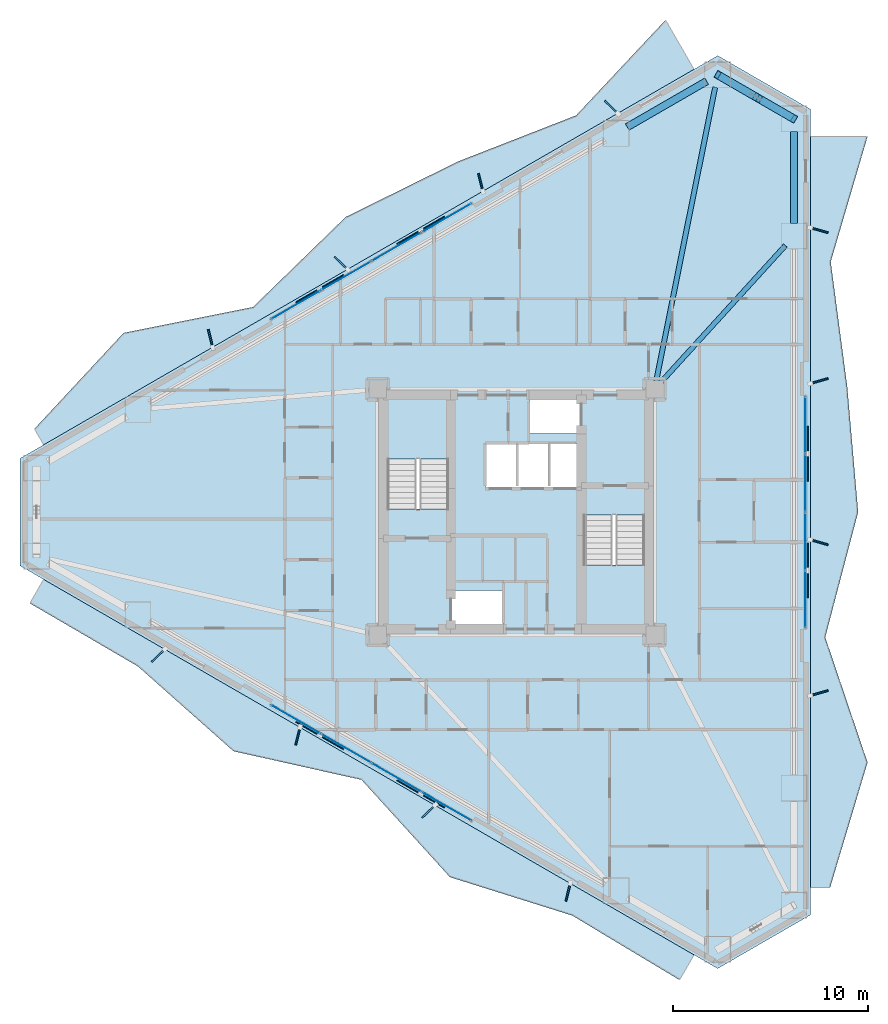
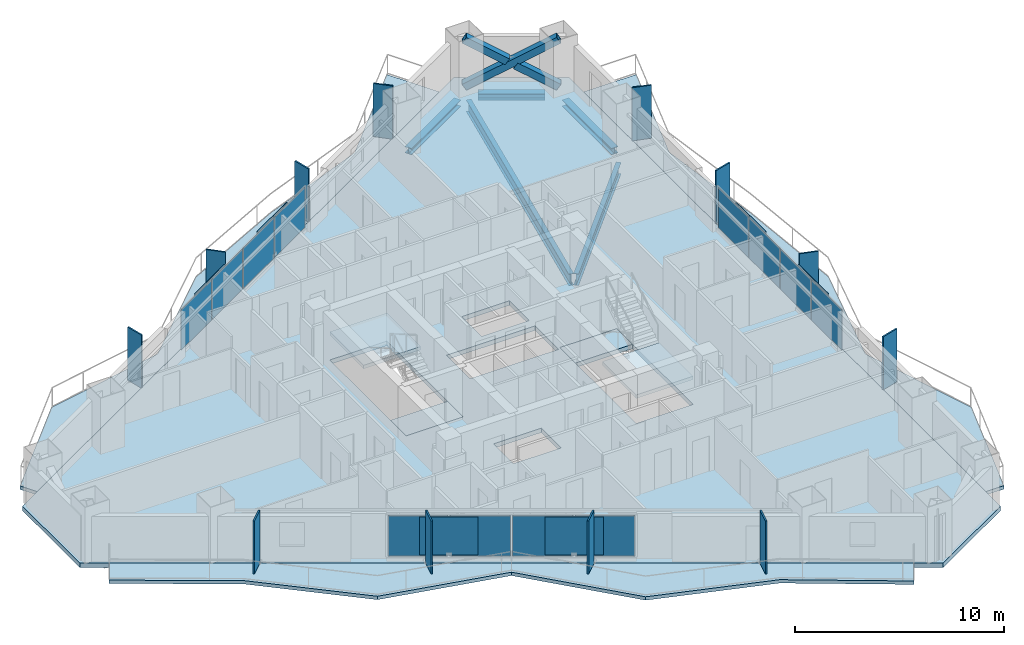
# One storey, part 10 of 18: 30 plates, 8 slabs, 5 beams, 3 members, 5 elements without a shape of their own.
"""IFC4 building model written with IfcOpenShell, lengths in metres."""

from ifc_helpers import new_model, si_unit, direction, frame, origin, origin_2d, place, context, subcontext, project, spatial, polyline, rectangle, hollow_rectangle, i_section, outline, extrude, material, layer, layer_set, material_profile, profile_set, type_object, element, aggregate, save


model = new_model("IFC4")

# Units and contexts
model_context = context("Model", 3, precision=1e-05, world=origin(), true_north=direction((0.0, 1.0)))
body_context = subcontext(model_context, "Body", "Model", "MODEL_VIEW")
ifc_project = project(units=[si_unit("LENGTHUNIT", "METRE"), si_unit("AREAUNIT", "SQUARE_METRE"), si_unit("VOLUMEUNIT", "CUBIC_METRE"), si_unit("PLANEANGLEUNIT", "RADIAN"), si_unit("MASSUNIT", "GRAM", prefix="KILO")], contexts=[model_context])

# Site, building, storey
site_placement = place(None, origin())
site = spatial("IfcSite", under=ifc_project, at=site_placement, CompositionType="ELEMENT")
building_placement = place(site_placement, origin())
building = spatial("IfcBuilding", under=site, at=building_placement, Name="Mersakhor Tower and Convention Hall", CompositionType="ELEMENT")
storey_placement = place(building_placement, frame((0.0, 0.0, 55.5)))
storey = spatial("IfcBuildingStorey", under=building, at=storey_placement, Name="L15", CompositionType="ELEMENT", Elevation=55.5)

# Beams
ifc_material_1 = material(Name="Steel S355", Category="steel")
ifc_material_profile_1 = material_profile(ifc_material_1, i_section(OverallWidth=0.25439453125, OverallDepth=0.6875, WebThickness=0.01318359375, FlangeThickness=0.02099609375, at=origin_2d()), Name="UB 686x254x152")
ifc_profile_set_1 = profile_set([ifc_material_profile_1], Name="Steel S355")
beam_type_1 = type_object("IfcBeamType", Name="BM-PR-686", PredefinedType="BEAM", material=ifc_profile_set_1)
beam_1_placement = place(storey_placement, frame((36.1845703125, 33.4716796875, -0.603759765625), z_axis=(0.196849718138, 0.980433673672, 0.0), x_axis=(-0.980433673672, 0.196849718138, 0.0)))
element("IfcBeam", 1, at=beam_1_placement, inside=storey, type_object=beam_type_1, Name="L15 Primary Floor Girder FG-2", PredefinedType="BEAM", context=body_context, shape_type="SweptSolid", body=[
    extrude(i_section(OverallWidth=0.25439453125, OverallDepth=0.6875, WebThickness=0.01318359375, FlangeThickness=0.02099609375, at=origin_2d()), origin(), (0.0, 0.0, 1.0), 15.359130859375),
])
beam_2_placement = place(storey_placement, frame((36.389404296875, 33.367919921875, -0.603759765625), z_axis=(0.67316322447, 0.739493930483, 0.0), x_axis=(-0.739493930483, 0.67316322447, 0.0)))
element("IfcBeam", 2, at=beam_2_placement, inside=storey, type_object=beam_type_1, Name="L15 Primary Floor Girder FG-3", PredefinedType="BEAM", context=body_context, shape_type="SweptSolid", body=[
    extrude(i_section(OverallWidth=0.25439453125, OverallDepth=0.6875, WebThickness=0.01318359375, FlangeThickness=0.02099609375, at=origin_2d()), origin(), (0.0, 0.0, 1.0), 9.53662109375),
])
ifc_material_2 = material(Name="Steel S355", Category="steel")
ifc_material_profile_2 = material_profile(ifc_material_2, i_section(OverallWidth=0.374755859375, OverallDepth=0.37451171875, WebThickness=0.0166015625, FlangeThickness=0.027099609375, at=origin_2d()), Name="UC 356x368x202")
ifc_profile_set_2 = profile_set([ifc_material_profile_2], Name="Steel S355")
beam_type_2 = type_object("IfcBeamType", Name="BM-SPD-UC356", PredefinedType="SPANDREL", material=ifc_profile_set_2)
beam_3_placement = place(storey_placement, frame((34.700439453125, 46.49560546875, -0.447265625), z_axis=(0.866031574723, 0.499989311469, 0.0), x_axis=(-0.499989311469, 0.866031574723, 0.0)))
element("IfcBeam", 3, at=beam_3_placement, inside=storey, type_object=beam_type_2, Name="L15 Perimeter Spandrel Beam SPB-03", PredefinedType="SPANDREL", context=body_context, shape_type="SweptSolid", body=[
    extrude(i_section(OverallWidth=0.374755859375, OverallDepth=0.37451171875, WebThickness=0.0166015625, FlangeThickness=0.027099609375, at=origin_2d()), origin(), (0.0, 0.0, 1.0), 4.69873046875),
])
beam_4_placement = place(storey_placement, frame((39.904052734375, 48.844970703125, -0.447265625), z_axis=(0.866038607556, -0.4999771297, 0.0), x_axis=(0.4999771297, 0.866038607556, 0.0)))
element("IfcBeam", 4, at=beam_4_placement, inside=storey, type_object=beam_type_2, Name="L15 Perimeter Spandrel Beam SPB-04", PredefinedType="SPANDREL", context=body_context, shape_type="SweptSolid", body=[
    extrude(i_section(OverallWidth=0.374755859375, OverallDepth=0.37451171875, WebThickness=0.0166015625, FlangeThickness=0.027099609375, at=origin_2d()), origin(), (0.0, 0.0, 1.0), 3.208740234375),
])
beam_5_placement = place(storey_placement, frame((43.25, 46.25830078125, -0.447265625), z_axis=(0.0, -1.0, 0.0), x_axis=(1.0, 0.0, 0.0)))
element("IfcBeam", 5, at=beam_5_placement, inside=storey, type_object=beam_type_2, Name="L15 Perimeter Spandrel Beam SPB-05", PredefinedType="SPANDREL", context=body_context, shape_type="SweptSolid", body=[
    extrude(i_section(OverallWidth=0.374755859375, OverallDepth=0.37451171875, WebThickness=0.0166015625, FlangeThickness=0.027099609375, at=origin_2d()), origin(), (0.0, 0.0, 1.0), 4.69873046875),
])

# Members
ifc_material_3 = material(Name="Steel S460", Category="steel")
ifc_material_profile_3 = material_profile(ifc_material_3, hollow_rectangle(XDim=0.39990234375, YDim=0.39990234375, WallThickness=0.02490234375, at=origin_2d()), Name="SHS 400x400x25")
ifc_profile_set_3 = profile_set([ifc_material_profile_3], Name="Steel S460")
member_type = type_object("IfcMemberType", Name="MB-BRC-SHS400", PredefinedType="BRACE", material=ifc_profile_set_3)
member_placement = place(storey_placement, frame((39.3369140625, 49.172607421875, 0.14990234375), z_axis=(0.740507772322, -0.427542982597, 0.518512523632), x_axis=(0.500009315796, 0.86602002524, 0.0)))
element("IfcMember", 6, at=member_placement, inside=storey, type_object=member_type, Name="L15 Chamfer Braced Frame Diagonal CB-1A", PredefinedType="BRACE", context=body_context, shape_type="SweptSolid", body=[
    extrude(hollow_rectangle(XDim=0.39990234375, YDim=0.39990234375, WallThickness=0.02490234375, at=origin_2d()), origin(), (0.0, 0.0, 1.0), 5.284423828125),
])
for number, where, z_axis, x_axis, name in (
    (7, (43.25, 46.913330078125, 0.14990234375), (-0.740505282886, 0.427518653602, 0.518536138413), (-0.499989236795, -0.866031617834, 0.0), "L15 Chamfer Braced Frame Diagonal CB-1B Lower Half"),
    (8, (41.12060546875, 48.142578125, 1.64111328125), (-0.740512106644, 0.427623949895, 0.518439560017), (-0.500078132948, -0.865980289006, 0.0), "L15 Chamfer Braced Frame Diagonal CB-1B Upper Half"),
):
    element("IfcMember", number, at=place(storey_placement, frame(where, z_axis=z_axis, x_axis=x_axis)), inside=storey, type_object=member_type, Name=name, PredefinedType="BRACE", context=body_context, shape_type="SweptSolid", body=[
        extrude(hollow_rectangle(XDim=0.39990234375, YDim=0.39990234375, WallThickness=0.02490234375, at=origin_2d()), origin(), (0.0, 0.0, 1.0), 2.40869140625),
    ])

# Curtain wall, plates
ifc_material_4 = material(Name="Dark solar low-E aluminium curtain wall", Category="aluminium")
ifc_layer_1 = layer(ifc_material_4, 0.159912109375)
ifc_layer_set_1 = layer_set([ifc_layer_1], Name="Dark solar low-E aluminium curtain wall")
curtain_wall_type = type_object("IfcCurtainWallType", Name="CW-SYS-01", PredefinedType="USERDEFINED", material=ifc_layer_set_1)
curtain_wall_1_placement = place(storey_placement, origin())
curtain_wall_1 = element("IfcCurtainWall", 9, at=curtain_wall_1_placement, inside=storey, type_object=curtain_wall_type, Name="L15 Dark-Glass Curtain Wall F1-B2", ObjectType="CURTAIN WALL", PredefinedType="USERDEFINED")
ifc_material_5 = material(Name="Dark solar double glazing", Category="glass")
ifc_layer_2 = layer(ifc_material_5, 0.02392578125)
ifc_layer_set_2 = layer_set([ifc_layer_2], Name="Dark solar double glazing")
plate_type_1 = type_object("IfcPlateType", Name="CWP-GLZ-24", PredefinedType="CURTAIN_PANEL", material=ifc_layer_set_2)
plate_1_placement = place(storey_placement, frame((17.702880859375, 37.375, 0.259765625), z_axis=(0.0, 0.0, 1.0), x_axis=(0.866023412558, 0.50000344889, 0.0)))
plate_1 = element("IfcPlate", 10, at=plate_1_placement, type_object=plate_type_1, Name="CW-01 panel 1.1", PredefinedType="CURTAIN_PANEL", context=body_context, shape_type="SweptSolid", body=[
    extrude(rectangle(XDim=2.880859375, YDim=0.02392578125, at=origin_2d()), origin(), (0.0, 0.0, 1.0), 2.340087890625),
])
plate_2_placement = place(storey_placement, frame((20.27880859375, 38.862060546875, 0.259765625), z_axis=(0.0, 0.0, 1.0), x_axis=(0.866023412558, 0.50000344889, 0.0)))
plate_2 = element("IfcPlate", 11, at=plate_2_placement, type_object=plate_type_1, Name="CW-01 panel 2.1", PredefinedType="CURTAIN_PANEL", context=body_context, shape_type="SweptSolid", body=[
    extrude(rectangle(XDim=2.918212890625, YDim=0.02392578125, at=origin_2d()), origin(), (0.0, 0.0, 1.0), 2.340087890625),
])
plate_3_placement = place(storey_placement, frame((22.87109375, 40.35888671875, 0.259765625), z_axis=(0.0, 0.0, 1.0), x_axis=(0.866023412558, 0.50000344889, 0.0)))
plate_3 = element("IfcPlate", 12, at=plate_3_placement, type_object=plate_type_1, Name="CW-01 panel 3.1", PredefinedType="CURTAIN_PANEL", context=body_context, shape_type="SweptSolid", body=[
    extrude(rectangle(XDim=2.918212890625, YDim=0.02392578125, at=origin_2d()), origin(), (0.0, 0.0, 1.0), 2.340087890625),
])
plate_4_placement = place(storey_placement, frame((25.447021484375, 41.84619140625, 0.259765625), z_axis=(0.0, 0.0, 1.0), x_axis=(0.866023412558, 0.50000344889, 0.0)))
plate_4 = element("IfcPlate", 13, at=plate_4_placement, type_object=plate_type_1, Name="CW-01 panel 4.1", PredefinedType="CURTAIN_PANEL", context=body_context, shape_type="SweptSolid", body=[
    extrude(rectangle(XDim=2.880859375, YDim=0.02392578125, at=origin_2d()), origin(), (0.0, 0.0, 1.0), 2.340087890625),
])
aggregate(curtain_wall_1, [plate_1, plate_2, plate_3, plate_4])

curtain_wall_2_placement = place(storey_placement, origin())
curtain_wall_2 = element("IfcCurtainWall", 14, at=curtain_wall_2_placement, inside=storey, type_object=curtain_wall_type, Name="L15 Dark-Glass Curtain Wall F2-B2", ObjectType="CURTAIN WALL", PredefinedType="USERDEFINED")
plate_5_placement = place(storey_placement, frame((43.85009765625, 31.22119140625, 0.259765625), z_axis=(0.0, 0.0, 1.0), x_axis=(0.0, -1.0, 0.0)))
plate_5 = element("IfcPlate", 15, at=plate_5_placement, type_object=plate_type_1, Name="CW-01 panel 1.1", PredefinedType="CURTAIN_PANEL", context=body_context, shape_type="SweptSolid", body=[
    extrude(rectangle(XDim=2.880859375, YDim=0.02392578125, at=origin_2d()), origin(), (0.0, 0.0, 1.0), 2.340087890625),
])
plate_6_placement = place(storey_placement, frame((43.85009765625, 28.24658203125, 0.259765625), z_axis=(0.0, 0.0, 1.0), x_axis=(0.0, -1.0, 0.0)))
plate_6 = element("IfcPlate", 16, at=plate_6_placement, type_object=plate_type_1, Name="CW-01 panel 2.1", PredefinedType="CURTAIN_PANEL", context=body_context, shape_type="SweptSolid", body=[
    extrude(rectangle(XDim=2.918212890625, YDim=0.02392578125, at=origin_2d()), origin(), (0.0, 0.0, 1.0), 2.340087890625),
])
plate_7_placement = place(storey_placement, frame((43.85009765625, 25.25341796875, 0.259765625), z_axis=(0.0, 0.0, 1.0), x_axis=(0.0, -1.0, 0.0)))
plate_7 = element("IfcPlate", 17, at=plate_7_placement, type_object=plate_type_1, Name="CW-01 panel 3.1", PredefinedType="CURTAIN_PANEL", context=body_context, shape_type="SweptSolid", body=[
    extrude(rectangle(XDim=2.918212890625, YDim=0.02392578125, at=origin_2d()), origin(), (0.0, 0.0, 1.0), 2.340087890625),
])
plate_8_placement = place(storey_placement, frame((43.85009765625, 22.27880859375, 0.259765625), z_axis=(0.0, 0.0, 1.0), x_axis=(0.0, -1.0, 0.0)))
plate_8 = element("IfcPlate", 18, at=plate_8_placement, type_object=plate_type_1, Name="CW-01 panel 4.1", PredefinedType="CURTAIN_PANEL", context=body_context, shape_type="SweptSolid", body=[
    extrude(rectangle(XDim=2.880859375, YDim=0.02392578125, at=origin_2d()), origin(), (0.0, 0.0, 1.0), 2.340087890625),
])
aggregate(curtain_wall_2, [plate_5, plate_6, plate_7, plate_8])

curtain_wall_3_placement = place(storey_placement, origin())
curtain_wall_3 = element("IfcCurtainWall", 19, at=curtain_wall_3_placement, inside=storey, type_object=curtain_wall_type, Name="L15 Dark-Glass Curtain Wall F3-B2", ObjectType="CURTAIN WALL", PredefinedType="USERDEFINED")
plate_9_placement = place(storey_placement, frame((25.447021484375, 11.65380859375, 0.259765625), z_axis=(0.0, 0.0, 1.0), x_axis=(-0.866023412558, 0.50000344889, 0.0)))
plate_9 = element("IfcPlate", 20, at=plate_9_placement, type_object=plate_type_1, Name="CW-01 panel 1.1", PredefinedType="CURTAIN_PANEL", context=body_context, shape_type="SweptSolid", body=[
    extrude(rectangle(XDim=2.880859375, YDim=0.02392578125, at=origin_2d()), origin(), (0.0, 0.0, 1.0), 2.340087890625),
])
plate_10_placement = place(storey_placement, frame((22.87109375, 13.14111328125, 0.259765625), z_axis=(0.0, 0.0, 1.0), x_axis=(-0.866023412558, 0.50000344889, 0.0)))
plate_10 = element("IfcPlate", 21, at=plate_10_placement, type_object=plate_type_1, Name="CW-01 panel 2.1", PredefinedType="CURTAIN_PANEL", context=body_context, shape_type="SweptSolid", body=[
    extrude(rectangle(XDim=2.918212890625, YDim=0.02392578125, at=origin_2d()), origin(), (0.0, 0.0, 1.0), 2.340087890625),
])
plate_11_placement = place(storey_placement, frame((20.27880859375, 14.637939453125, 0.259765625), z_axis=(0.0, 0.0, 1.0), x_axis=(-0.866023412558, 0.50000344889, 0.0)))
plate_11 = element("IfcPlate", 22, at=plate_11_placement, type_object=plate_type_1, Name="CW-01 panel 3.1", PredefinedType="CURTAIN_PANEL", context=body_context, shape_type="SweptSolid", body=[
    extrude(rectangle(XDim=2.918212890625, YDim=0.02392578125, at=origin_2d()), origin(), (0.0, 0.0, 1.0), 2.340087890625),
])
plate_12_placement = place(storey_placement, frame((17.702880859375, 16.125, 0.259765625), z_axis=(0.0, 0.0, 1.0), x_axis=(-0.866023412558, 0.50000344889, 0.0)))
plate_12 = element("IfcPlate", 23, at=plate_12_placement, type_object=plate_type_1, Name="CW-01 panel 4.1", PredefinedType="CURTAIN_PANEL", context=body_context, shape_type="SweptSolid", body=[
    extrude(rectangle(XDim=2.880859375, YDim=0.02392578125, at=origin_2d()), origin(), (0.0, 0.0, 1.0), 2.340087890625),
])
aggregate(curtain_wall_3, [plate_9, plate_10, plate_11, plate_12])

# Plates
ifc_material_6 = material(Name="Ceramic-clad aluminium Zone 1 cobalt-slate", Category="masonry")
ifc_material_7 = material(Name="Ceramic-clad aluminium Zone 1 cobalt-slate", Category="masonry")
ifc_layer_3 = layer(ifc_material_7, 0.080078125)
ifc_layer_set_3 = layer_set([ifc_layer_3], Name="Ceramic-clad aluminium Zone 1 cobalt-slate")
plate_type_2 = type_object("IfcPlateType", Name="PL-FIN-80", PredefinedType="USERDEFINED", material=ifc_layer_set_3)
for number, where, z_axis, x_axis, name in (
    (24, (13.330810546875, 35.6435546875, 0.0), (0.0, 0.0, 1.0), (-0.2419218956, 0.970295726276, 0.0), "L15 Zone 1 Coloured Brise-Soleil Fin F1-1"),
    (25, (20.0322265625, 39.5126953125, 0.0), (0.0, 0.0, 1.0), (-0.719339800339, 0.694658370459, 0.0), "L15 Zone 1 Coloured Brise-Soleil Fin F1-2"),
    (26, (27.187255859375, 43.6435546875, 0.0), (0.0, 0.0, 1.0), (-0.2419218956, 0.970295726276, 0.0), "L15 Zone 1 Coloured Brise-Soleil Fin F1-3"),
    (27, (33.888671875, 47.5126953125, 0.0), (0.0, 0.0, 1.0), (-0.719339800339, 0.694658370459, 0.0), "L15 Zone 1 Coloured Brise-Soleil Fin F1-4"),
    (28, (44.53662109375, 41.206298828125, 0.0), (0.0, 0.0, 1.0), (0.961261695938, -0.275637355817, 0.0), "L15 Zone 1 Coloured Brise-Soleil Fin F2-1"),
    (29, (44.53662109375, 33.46826171875, 0.0), (0.0, 0.0, 1.0), (0.961261695938, 0.275637355817, 0.0), "L15 Zone 1 Coloured Brise-Soleil Fin F2-2"),
    (30, (44.53662109375, 25.206298828125, 0.0), (0.0, 0.0, 1.0), (0.961261695938, -0.275637355817, 0.0), "L15 Zone 1 Coloured Brise-Soleil Fin F2-3"),
    (31, (44.53662109375, 17.46826171875, 0.0), (0.0, 0.0, 1.0), (0.961261695938, 0.275637355817, 0.0), "L15 Zone 1 Coloured Brise-Soleil Fin F2-4"),
    (32, (31.668701171875, 7.26904296875, 0.0), (0.0, 0.0, 1.0), (-0.2419218956, -0.970295726276, 0.0), "L15 Zone 1 Coloured Brise-Soleil Fin F3-1"),
    (33, (24.513671875, 11.39990234375, 0.0), (0.0, 0.0, 1.0), (-0.719339800339, -0.694658370459, 0.0), "L15 Zone 1 Coloured Brise-Soleil Fin F3-2"),
    (34, (17.812255859375, 15.26904296875, 0.0), (0.0, 0.0, 1.0), (-0.2419218956, -0.970295726276, 0.0), "L15 Zone 1 Coloured Brise-Soleil Fin F3-3"),
    (35, (10.6572265625, 19.39990234375, 0.0), (0.0, 0.0, 1.0), (-0.719339800339, -0.694658370459, 0.0), "L15 Zone 1 Coloured Brise-Soleil Fin F3-4"),
):
    element("IfcPlate", number, at=place(storey_placement, frame(where, z_axis=z_axis, x_axis=x_axis)), inside=storey, type_object=plate_type_2, material=ifc_material_6, Name=name, ObjectType="FIN", PredefinedType="USERDEFINED", context=body_context, shape_type="SweptSolid", body=[
        extrude(rectangle(XDim=0.949951171875, YDim=0.080078125, at=origin_2d()), origin(), (0.0, 0.0, 1.0), 3.10009765625),
    ])
ifc_material_8 = material(Name="Perforated ceramic cobogo solar screen", Category="aluminium")
ifc_layer_4 = layer(ifc_material_8, 0.055908203125)
ifc_layer_set_4 = layer_set([ifc_layer_4], Name="Perforated ceramic cobogo solar screen")
plate_type_3 = type_object("IfcPlateType", Name="PL-SCR-56", PredefinedType="USERDEFINED", material=ifc_layer_set_4)
for number, where, z_axis, x_axis, name in (
    (36, (18.933837890625, 38.19873046875, 0.39990234375), (0.0, 0.0, 1.0), (0.866025403784, 0.5, 0.0), "L15 Perforated Ceramic Solar Screen F1-1"),
    (37, (24.118408203125, 41.19189453125, 0.39990234375), (0.0, 0.0, 1.0), (0.866025403784, 0.5, 0.0), "L15 Perforated Ceramic Solar Screen F1-2"),
    (38, (43.947998046875, 29.743408203125, 0.39990234375), (0.0, 0.0, 1.0), (0.0, -1.0, 0.0), "L15 Perforated Ceramic Solar Screen F2-1"),
    (39, (43.947998046875, 23.756591796875, 0.39990234375), (0.0, 0.0, 1.0), (0.0, -1.0, 0.0), "L15 Perforated Ceramic Solar Screen F2-2"),
    (40, (24.1181640625, 12.30810546875, 0.39990234375), (0.0, 0.0, 1.0), (-0.866025403784, 0.5, 0.0), "L15 Perforated Ceramic Solar Screen F3-1"),
    (41, (18.93359375, 15.30126953125, 0.39990234375), (0.0, 0.0, 1.0), (-0.866025403784, 0.5, 0.0), "L15 Perforated Ceramic Solar Screen F3-2"),
):
    element("IfcPlate", number, at=place(storey_placement, frame(where, z_axis=z_axis, x_axis=x_axis)), inside=storey, type_object=plate_type_3, Name=name, ObjectType="SCREEN", PredefinedType="USERDEFINED", context=body_context, shape_type="SweptSolid", body=[
        extrude(rectangle(XDim=2.800048828125, YDim=0.055908203125, at=origin_2d()), origin(), (0.0, 0.0, 1.0), 2.2099609375),
    ])

# Slabs
ifc_material_9 = material(Name="Concrete C45/55", Category="concrete")
ifc_layer_5 = layer(ifc_material_9, 0.199951171875)
ifc_layer_set_5 = layer_set([ifc_layer_5], Name="Concrete C45/55")
slab_type_1 = type_object("IfcSlabType", Name="SL-BAL-200", PredefinedType="FLOOR", material=ifc_layer_set_5)
slab_1_placement = place(storey_placement, frame((0.0, 0.0, -0.199951171875)))
element("IfcSlab", 42, at=slab_1_placement, inside=storey, type_object=slab_type_1, Name="L15 Sinusoidal Balcony Slab Face 1", PredefinedType="FLOOR", context=body_context, shape_type="SweptSolid", body=[
    extrude(outline(polyline([(4.775390625, 30.199951171875), (38.12451171875, 49.4541015625), (36.66455078125, 51.98291015625), (32.07861328125, 47.089599609375), (26.030517578125, 44.7294921875), (20.263916015625, 41.88134765625), (15.516845703125, 37.267578125), (8.873779296875, 35.937744140625), (4.30322265625, 31.017822265625), (4.775390625, 30.199951171875)])), origin(), (0.0, 0.0, 1.0), 0.199951171875),
])
slab_2_placement = place(storey_placement, frame((0.0, 0.0, -0.199951171875)))
element("IfcSlab", 43, at=slab_2_placement, inside=storey, type_object=slab_type_1, Name="L15 Sinusoidal Balcony Slab Face 2", PredefinedType="FLOOR", context=body_context, shape_type="SweptSolid", body=[
    extrude(outline(polyline([(44.10009765625, 46.00390625), (44.10009765625, 7.49609375), (45.099365234375, 7.49609375), (47.02001953125, 13.9140625), (44.85009765625, 20.33203125), (46.537353515625, 26.75), (45.98046875, 33.16796875), (45.1318359375, 39.5859375), (47.02001953125, 46.00390625), (44.10009765625, 46.00390625)])), origin(), (0.0, 0.0, 1.0), 0.199951171875),
])
slab_3_placement = place(storey_placement, frame((0.0, 0.0, -0.199951171875)))
element("IfcSlab", 44, at=slab_3_placement, inside=storey, type_object=slab_type_1, Name="L15 Sinusoidal Balcony Slab Face 3", PredefinedType="FLOOR", context=body_context, shape_type="SweptSolid", body=[
    extrude(outline(polyline([(38.12451171875, 4.0458984375), (4.775390625, 23.300048828125), (4.068115234375, 22.07470703125), (9.61083984375, 18.839111328125), (14.510986328125, 14.490478515625), (21.074951171875, 13.0234375), (25.60546875, 8.034423828125), (31.879150390625, 6.064697265625), (37.381103515625, 2.75830078125), (38.12451171875, 4.0458984375)])), origin(), (0.0, 0.0, 1.0), 0.199951171875),
])
ifc_material_10 = material(Name="Concrete C45/55", Category="concrete")
ifc_layer_6 = layer(ifc_material_10, 0.260009765625)
ifc_layer_set_6 = layer_set([ifc_layer_6], Name="Concrete C45/55")
slab_type_2 = type_object("IfcSlabType", Name="SL-FLR-260", PredefinedType="FLOOR", material=ifc_layer_set_6)
slab_4_placement = place(storey_placement, frame((0.0, 0.0, -0.260009765625)))
element("IfcSlab", 45, at=slab_4_placement, inside=storey, type_object=slab_type_2, Name="L15 ST-1 Structural Stair Floor Landing", PredefinedType="LANDING", context=body_context, shape_type="SweptSolid", body=[
    extrude(outline(polyline([(25.550048828125, 25.39990234375), (25.550048828125, 26.89990234375), (22.39990234375, 26.89990234375), (22.39990234375, 25.39990234375), (25.550048828125, 25.39990234375)])), origin(), (0.0, 0.0, 1.0), 0.260009765625),
])
slab_5_placement = place(storey_placement, frame((0.0, 0.0, -0.260009765625)))
element("IfcSlab", 46, at=slab_5_placement, inside=storey, type_object=slab_type_2, Name="L15 ST-2 Structural Stair Floor Landing", PredefinedType="LANDING", context=body_context, shape_type="SweptSolid", body=[
    extrude(outline(polyline([(32.449951171875, 28.10009765625), (32.449951171875, 26.60009765625), (35.60009765625, 26.60009765625), (35.60009765625, 28.10009765625), (32.449951171875, 28.10009765625)])), origin(), (0.0, 0.0, 1.0), 0.260009765625),
])
slab_6_placement = place(storey_placement, frame((0.0, 0.0, -0.260009765625)))
element("IfcSlab", 47, at=slab_6_placement, inside=storey, type_object=slab_type_2, Name="Tower L15 Structural Floor Slab", PredefinedType="FLOOR", context=body_context, shape_type="SweptSolid", body=[
    extrude(outline(polyline([(3.56298828125, 29.5), (39.3369140625, 50.154052734375), (44.10009765625, 47.404052734375), (44.10009765625, 6.095947265625), (39.3369140625, 3.345947265625), (3.56298828125, 24.0), (3.56298828125, 29.5)]), holes=[polyline([(25.550048828125, 25.39990234375), (25.550048828125, 32.699951171875), (22.39990234375, 32.699951171875), (22.39990234375, 25.39990234375), (25.550048828125, 25.39990234375)]), polyline([(32.449951171875, 28.10009765625), (32.449951171875, 20.800048828125), (35.60009765625, 20.800048828125), (35.60009765625, 28.10009765625), (32.449951171875, 28.10009765625)]), polyline([(25.679931640625, 20.820068359375), (25.679931640625, 22.719970703125), (28.320068359375, 22.719970703125), (28.320068359375, 20.820068359375), (25.679931640625, 20.820068359375)]), polyline([(29.679931640625, 30.780029296875), (29.679931640625, 32.679931640625), (32.320068359375, 32.679931640625), (32.320068359375, 30.780029296875), (29.679931640625, 30.780029296875)]), polyline([(27.429931640625, 28.0), (27.429931640625, 30.25), (32.320068359375, 30.25), (32.320068359375, 28.0), (27.429931640625, 28.0)])]), origin(), (0.0, 0.0, 1.0), 0.260009765625),
])

# Stair, slab
ifc_material_11 = material(Name="Concrete C45/55", Category="concrete")
stair_type = type_object("IfcStairType", Name="ST-TWR-20R", PredefinedType="HALF_TURN_STAIR", material=ifc_material_11)
stair_1_placement = place(storey_placement, origin())
stair_1 = element("IfcStair", 48, at=stair_1_placement, inside=storey, type_object=stair_type, Name="L15 Tower Protected Exit Stair ST-1", PredefinedType="HALF_TURN_STAIR")
ifc_material_12 = material(Name="Concrete C45/55", Category="concrete")
ifc_layer_7 = layer(ifc_material_12, 0.199951171875)
ifc_layer_set_7 = layer_set([ifc_layer_7], Name="Concrete C45/55")
slab_type_3 = type_object("IfcSlabType", Name="SL-LAND-200", PredefinedType="LANDING", material=ifc_layer_set_7)
slab_7_placement = place(storey_placement, frame((0.0, 0.0, 1.449951171875)))
slab_7 = element("IfcSlab", 49, at=slab_7_placement, type_object=slab_type_3, Name="ST-1 landing 1", PredefinedType="LANDING", context=body_context, shape_type="SweptSolid", body=[
    extrude(outline(polyline([(25.550048828125, 29.465087890625), (25.550048828125, 32.699951171875), (22.39990234375, 32.699951171875), (22.39990234375, 29.465087890625), (25.550048828125, 29.465087890625)])), origin(), (0.0, 0.0, 1.0), 0.199951171875),
])
aggregate(stair_1, [slab_7])

stair_2_placement = place(storey_placement, origin())
stair_2 = element("IfcStair", 50, at=stair_2_placement, inside=storey, type_object=stair_type, Name="L15 Tower Protected Exit Stair ST-2", PredefinedType="HALF_TURN_STAIR")
slab_8_placement = place(storey_placement, frame((0.0, 0.0, 1.449951171875)))
slab_8 = element("IfcSlab", 51, at=slab_8_placement, type_object=slab_type_3, Name="ST-2 landing 1", PredefinedType="LANDING", context=body_context, shape_type="SweptSolid", body=[
    extrude(outline(polyline([(32.449951171875, 24.034912109375), (32.449951171875, 20.800048828125), (35.60009765625, 20.800048828125), (35.60009765625, 24.034912109375), (32.449951171875, 24.034912109375)])), origin(), (0.0, 0.0, 1.0), 0.199951171875),
])
aggregate(stair_2, [slab_8])

save(model, "model.ifc")
